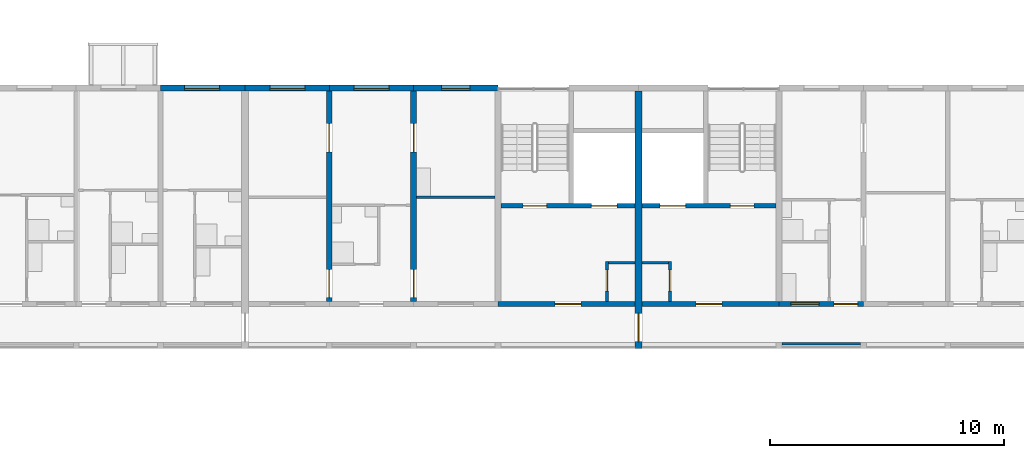
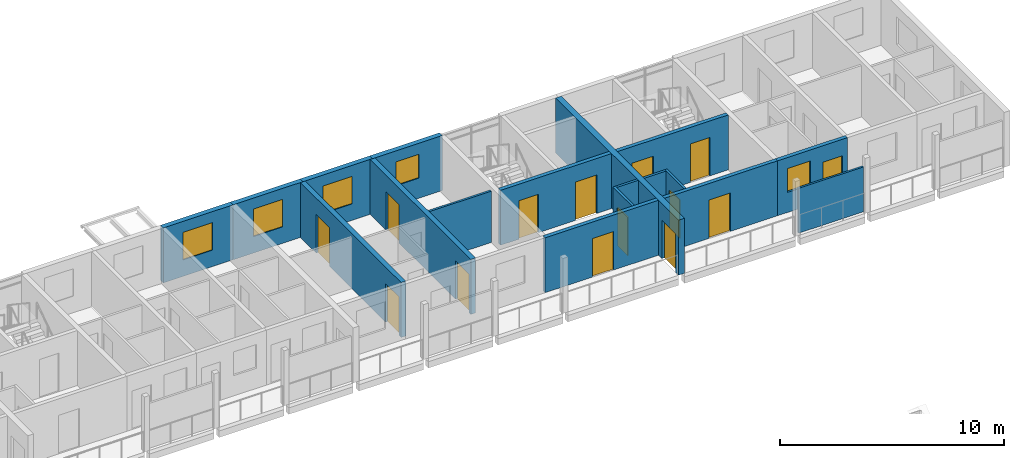
# One storey, part 80 of 122: 18 walls, 14 doors, 5 windows, 19 openings.
"""IFC4 building model written with IfcOpenShell, lengths in metres."""

from ifc_helpers import new_model, si_unit, direction, frame, frame_2d, origin, place, context, subcontext, project, spatial, rectangle, extrude, material, layer, layer_set, type_object, element, fill, save


model = new_model("IFC4")

# Units and contexts
model_context = context("Model", 3, precision=1e-05, world=origin(), true_north=direction((0.0, 1.0)))
body_context = subcontext(model_context, "Body", "Model", "MODEL_VIEW")
ifc_project = project(units=[si_unit("LENGTHUNIT", "METRE"), si_unit("AREAUNIT", "SQUARE_METRE"), si_unit("VOLUMEUNIT", "CUBIC_METRE"), si_unit("PLANEANGLEUNIT", "RADIAN"), si_unit("MASSUNIT", "GRAM", prefix="KILO")], contexts=[model_context])

# Site, building, storey
site_placement = place(None, origin())
site = spatial("IfcSite", under=ifc_project, at=site_placement, CompositionType="ELEMENT")
building_placement = place(site_placement, origin())
building = spatial("IfcBuilding", under=site, at=building_placement, Name="Ridgestep Commons", CompositionType="ELEMENT")
storey_placement = place(building_placement, frame((0.0, 0.0, 3.0)))
storey = spatial("IfcBuildingStorey", under=building, at=storey_placement, Name="L01", CompositionType="ELEMENT", Elevation=3.0)

# Wall, opening, door
ifc_material_1 = material(Name="Concrete C30/37", Category="concrete")
ifc_layer_1 = layer(ifc_material_1, 0.199951171875)
ifc_layer_set_1 = layer_set([ifc_layer_1], Name="Core south wall 200")
wall_type_1 = type_object("IfcWallType", Name="Core south wall 200", PredefinedType="SHEAR", material=ifc_layer_set_1)
wall_1_placement = place(storey_placement, frame((224.800048828125, 67.89990234375, 0.0), z_axis=(0.0, 0.0, 1.0), x_axis=(1.0, 0.0, 0.0)))
wall_1 = element("IfcWall", 1, at=wall_1_placement, inside=storey, type_object=wall_type_1, Name="Core south wall C5C L01", PredefinedType="SHEAR", context=body_context, shape_type="SweptSolid", body=[
    extrude(rectangle(XDim=5.849853515625, YDim=0.199951171875, at=frame_2d((2.9248046875, 0.0))), origin(), (0.0, 0.0, 1.0), 3.0),
])
opening_1_placement = place(wall_1_placement, frame((2.4375, 0.0, 0.0)))
opening_1 = element("IfcOpeningElement", 2, at=opening_1_placement, cuts=wall_1, Name="Opening C5C/01/1", PredefinedType="OPENING", context=body_context, shape_type="SweptSolid", body=[
    extrude(rectangle(XDim=1.10009765625, YDim=2.10009765625, at=frame_2d((0.550048828125, 1.050048828125))), frame((0.0, 0.10986328125, 0.0), z_axis=(0.0, -1.0, 0.0), x_axis=(1.0, 0.0, 0.0)), (0.0, 0.0, 1.0), 0.219970703125),
])
ifc_material_2 = material(Name="Steel fire door", Category="steel")
door_type_1 = type_object("IfcDoorType", Name="Lobby door 1100 x 2100 FD60", OperationType="NOTDEFINED", PredefinedType="DOOR", material=ifc_material_2)
door_1_placement = place(opening_1_placement, origin())
door_1 = element("IfcDoor", 3, at=door_1_placement, inside=storey, type_object=door_type_1, Name="Lobby door C5C/01/1", OperationType="SINGLE_SWING_LEFT", OverallHeight=2.10009765625, OverallWidth=1.10009765625, PredefinedType="DOOR", context=body_context, shape_type="SweptSolid", body=[
    extrude(rectangle(XDim=1.10009765625, YDim=2.10009765625, at=frame_2d((0.550048828125, 1.050048828125))), frame((0.0, 0.02490234375, 0.0), z_axis=(0.0, -1.0, 0.0), x_axis=(1.0, 0.0, 0.0)), (0.0, 0.0, 1.0), 0.050048828125),
])
fill(opening_1, door_1)

wall_2_placement = place(storey_placement, frame((230.949951171875, 67.89990234375, 0.0), z_axis=(0.0, 0.0, 1.0), x_axis=(1.0, 0.0, 0.0)))
wall_2 = element("IfcWall", 4, at=wall_2_placement, inside=storey, type_object=wall_type_1, Name="Core south wall C6C L01", PredefinedType="SHEAR", context=body_context, shape_type="SweptSolid", body=[
    extrude(rectangle(XDim=5.85009765625, YDim=0.199951171875, at=frame_2d((2.925048828125, 0.0))), origin(), (0.0, 0.0, 1.0), 3.0),
])
opening_2_placement = place(wall_2_placement, frame((2.3125, 0.0, 0.0)))
opening_2 = element("IfcOpeningElement", 5, at=opening_2_placement, cuts=wall_2, Name="Opening C6C/01/1", PredefinedType="OPENING", context=body_context, shape_type="SweptSolid", body=[
    extrude(rectangle(XDim=1.10009765625, YDim=2.10009765625, at=frame_2d((0.550048828125, 1.050048828125))), frame((0.0, 0.10986328125, 0.0), z_axis=(0.0, -1.0, 0.0), x_axis=(1.0, 0.0, 0.0)), (0.0, 0.0, 1.0), 0.219970703125),
])
door_2_placement = place(opening_2_placement, origin())
door_2 = element("IfcDoor", 6, at=door_2_placement, inside=storey, type_object=door_type_1, Name="Lobby door C6C/01/1", OperationType="SINGLE_SWING_LEFT", OverallHeight=2.10009765625, OverallWidth=1.10009765625, PredefinedType="DOOR", context=body_context, shape_type="SweptSolid", body=[
    extrude(rectangle(XDim=1.10009765625, YDim=2.10009765625, at=frame_2d((0.550048828125, 1.050048828125))), frame((0.0, 0.02490234375, 0.0), z_axis=(0.0, -1.0, 0.0), x_axis=(1.0, 0.0, 0.0)), (0.0, 0.0, 1.0), 0.050048828125),
])
fill(opening_2, door_2)

ifc_material_3 = material(Name="Concrete C30/37", Category="concrete")
ifc_layer_2 = layer(ifc_material_3, 0.1201171875)
ifc_layer_set_2 = layer_set([ifc_layer_2], Name="Core wall 120")
wall_type_2 = type_object("IfcWallType", Name="Core wall 120", PredefinedType="SHEAR", material=ifc_layer_set_2)
wall_3_placement = place(storey_placement, frame((229.4599609375, 68.0, 0.0), z_axis=(0.0, 0.0, 1.0), x_axis=(0.0, 1.0, 0.0)))
wall_3 = element("IfcWall", 7, at=wall_3_placement, inside=storey, type_object=wall_type_2, Name="Core riser w wall C5C L01", PredefinedType="SHEAR", context=body_context, shape_type="SweptSolid", body=[
    extrude(rectangle(XDim=1.719970703125, YDim=0.1201171875, at=frame_2d((0.85986328125, 0.0))), origin(), (0.0, 0.0, 1.0), 3.0),
])
opening_3_placement = place(wall_3_placement, frame((0.449951171875, 0.0, 0.0)))
opening_3 = element("IfcOpeningElement", 8, at=opening_3_placement, cuts=wall_3, Name="Opening C5C/01/4", PredefinedType="OPENING", context=body_context, shape_type="SweptSolid", body=[
    extrude(rectangle(XDim=0.89990234375, YDim=2.10009765625, at=frame_2d((0.449951171875, 1.050048828125))), frame((0.0, 0.070068359375, 0.0), z_axis=(0.0, -1.0, 0.0), x_axis=(1.0, 0.0, 0.0)), (0.0, 0.0, 1.0), 0.14013671875),
])
ifc_material_4 = material(Name="Steel fire door", Category="steel")
door_type_2 = type_object("IfcDoorType", Name="Riser door 900 x 2100 FD60", OperationType="NOTDEFINED", PredefinedType="DOOR", material=ifc_material_4)
door_3_placement = place(opening_3_placement, origin())
door_3 = element("IfcDoor", 9, at=door_3_placement, inside=storey, type_object=door_type_2, Name="Riser door C5C/01/4", OperationType="SINGLE_SWING_LEFT", OverallHeight=2.10009765625, OverallWidth=0.89990234375, PredefinedType="DOOR", context=body_context, shape_type="SweptSolid", body=[
    extrude(rectangle(XDim=0.89990234375, YDim=2.10009765625, at=frame_2d((0.449951171875, 1.050048828125))), frame((0.0, 0.02490234375, 0.0), z_axis=(0.0, -1.0, 0.0), x_axis=(1.0, 0.0, 0.0)), (0.0, 0.0, 1.0), 0.050048828125),
])
fill(opening_3, door_3)

# Wall
wall_4_placement = place(storey_placement, frame((229.52001953125, 69.659912109375, 0.0), z_axis=(0.0, 0.0, 1.0), x_axis=(1.0, 0.0, 0.0)))
element("IfcWall", 10, at=wall_4_placement, inside=storey, type_object=wall_type_2, Name="Core riser n wall C5C L01", PredefinedType="SHEAR", context=body_context, shape_type="SweptSolid", body=[
    extrude(rectangle(XDim=1.1298828125, YDim=0.1201171875, at=frame_2d((0.56494140625, 0.0))), origin(), (0.0, 0.0, 1.0), 3.0),
])

# Wall, opening, door
wall_5_placement = place(storey_placement, frame((232.139892578125, 68.0, 0.0), z_axis=(0.0, 0.0, 1.0), x_axis=(0.0, 1.0, 0.0)))
wall_5 = element("IfcWall", 11, at=wall_5_placement, inside=storey, type_object=wall_type_2, Name="Core riser w wall C6C L01", PredefinedType="SHEAR", context=body_context, shape_type="SweptSolid", body=[
    extrude(rectangle(XDim=1.719970703125, YDim=0.1201171875, at=frame_2d((0.85986328125, 0.0))), origin(), (0.0, 0.0, 1.0), 3.0),
])
opening_4_placement = place(wall_5_placement, frame((0.449951171875, 0.0, 0.0)))
opening_4 = element("IfcOpeningElement", 12, at=opening_4_placement, cuts=wall_5, Name="Opening C6C/01/4", PredefinedType="OPENING", context=body_context, shape_type="SweptSolid", body=[
    extrude(rectangle(XDim=0.89990234375, YDim=2.10009765625, at=frame_2d((0.449951171875, 1.050048828125))), frame((0.0, 0.070068359375, 0.0), z_axis=(0.0, -1.0, 0.0), x_axis=(1.0, 0.0, 0.0)), (0.0, 0.0, 1.0), 0.14013671875),
])
door_4_placement = place(opening_4_placement, origin())
door_4 = element("IfcDoor", 13, at=door_4_placement, inside=storey, type_object=door_type_2, Name="Riser door C6C/01/4", OperationType="SINGLE_SWING_RIGHT", OverallHeight=2.10009765625, OverallWidth=0.89990234375, PredefinedType="DOOR", context=body_context, shape_type="SweptSolid", body=[
    extrude(rectangle(XDim=0.89990234375, YDim=2.10009765625, at=frame_2d((0.449951171875, 1.050048828125))), frame((0.0, 0.02490234375, 0.0), z_axis=(0.0, -1.0, 0.0), x_axis=(1.0, 0.0, 0.0)), (0.0, 0.0, 1.0), 0.050048828125),
])
fill(opening_4, door_4)

# Wall
wall_6_placement = place(storey_placement, frame((230.949951171875, 69.659912109375, 0.0), z_axis=(0.0, 0.0, 1.0), x_axis=(1.0, 0.0, 0.0)))
element("IfcWall", 14, at=wall_6_placement, inside=storey, type_object=wall_type_2, Name="Core riser n wall C6C L01", PredefinedType="SHEAR", context=body_context, shape_type="SweptSolid", body=[
    extrude(rectangle(XDim=1.130126953125, YDim=0.1201171875, at=frame_2d((0.56494140625, 0.0))), origin(), (0.0, 0.0, 1.0), 3.0),
])

# Wall, openings, doors
ifc_material_5 = material(Name="Concrete C30/37", Category="concrete")
ifc_layer_3 = layer(ifc_material_5, 0.199951171875)
ifc_layer_set_3 = layer_set([ifc_layer_3], Name="Core wall 200")
wall_type_3 = type_object("IfcWallType", Name="Core wall 200", PredefinedType="SHEAR", material=ifc_layer_set_3)
wall_7_placement = place(storey_placement, frame((224.925048828125, 72.10009765625, 0.0), z_axis=(0.0, 0.0, 1.0), x_axis=(1.0, 0.0, 0.0)))
wall_7 = element("IfcWall", 15, at=wall_7_placement, inside=storey, type_object=wall_type_3, Name="Core lobby wall C5C L01", PredefinedType="SHEAR", context=body_context, shape_type="SweptSolid", body=[
    extrude(rectangle(XDim=5.724853515625, YDim=0.199951171875, at=frame_2d((2.8623046875, 0.0))), origin(), (0.0, 0.0, 1.0), 3.0),
])
opening_5_placement = place(wall_7_placement, frame((0.949951171875, 0.0, 0.0)))
opening_5 = element("IfcOpeningElement", 16, at=opening_5_placement, cuts=wall_7, Name="Opening C5C/01/2", PredefinedType="OPENING", context=body_context, shape_type="SweptSolid", body=[
    extrude(rectangle(XDim=1.0, YDim=2.10009765625, at=frame_2d((0.5, 1.050048828125))), frame((0.0, 0.10986328125, 0.0), z_axis=(0.0, -1.0, 0.0), x_axis=(1.0, 0.0, 0.0)), (0.0, 0.0, 1.0), 0.219970703125),
])
opening_6_placement = place(wall_7_placement, frame((3.862548828125, 0.0, 0.0)))
opening_6 = element("IfcOpeningElement", 17, at=opening_6_placement, cuts=wall_7, Name="Opening C5C/01/3", PredefinedType="OPENING", context=body_context, shape_type="SweptSolid", body=[
    extrude(rectangle(XDim=1.10009765625, YDim=2.10009765625, at=frame_2d((0.550048828125, 1.050048828125))), frame((0.0, 0.10986328125, 0.0), z_axis=(0.0, -1.0, 0.0), x_axis=(1.0, 0.0, 0.0)), (0.0, 0.0, 1.0), 0.219970703125),
])
ifc_material_6 = material(Name="Stainless steel", Category="steel")
door_type_3 = type_object("IfcDoorType", Name="Lift landing door 1100 x 2100 FD60", OperationType="DOUBLE_DOOR_SLIDING", PredefinedType="DOOR", material=ifc_material_6)
door_5_placement = place(opening_6_placement, origin())
door_5 = element("IfcDoor", 18, at=door_5_placement, inside=storey, type_object=door_type_3, Name="Landing door LD C5C L01", OperationType="DOUBLE_DOOR_SLIDING", OverallHeight=2.10009765625, OverallWidth=1.10009765625, PredefinedType="DOOR", context=body_context, shape_type="SweptSolid", body=[
    extrude(rectangle(XDim=1.10009765625, YDim=2.10009765625, at=frame_2d((0.550048828125, 1.050048828125))), frame((0.0, 0.02490234375, 0.0), z_axis=(0.0, -1.0, 0.0), x_axis=(1.0, 0.0, 0.0)), (0.0, 0.0, 1.0), 0.050048828125),
])
fill(opening_6, door_5)
ifc_material_7 = material(Name="Steel fire door", Category="steel")
door_type_4 = type_object("IfcDoorType", Name="Stair door 1000 x 2100 FD60", OperationType="NOTDEFINED", PredefinedType="DOOR", material=ifc_material_7)
door_6_placement = place(opening_5_placement, origin())
door_6 = element("IfcDoor", 19, at=door_6_placement, inside=storey, type_object=door_type_4, Name="Stair door C5C/01/2", OperationType="SINGLE_SWING_RIGHT", OverallHeight=2.10009765625, OverallWidth=1.0, PredefinedType="DOOR", context=body_context, shape_type="SweptSolid", body=[
    extrude(rectangle(XDim=1.0, YDim=2.10009765625, at=frame_2d((0.5, 1.050048828125))), frame((0.0, 0.02490234375, 0.0), z_axis=(0.0, -1.0, 0.0), x_axis=(1.0, 0.0, 0.0)), (0.0, 0.0, 1.0), 0.050048828125),
])
fill(opening_5, door_6)

wall_8_placement = place(storey_placement, frame((230.949951171875, 72.10009765625, 0.0), z_axis=(0.0, 0.0, 1.0), x_axis=(1.0, 0.0, 0.0)))
wall_8 = element("IfcWall", 20, at=wall_8_placement, inside=storey, type_object=wall_type_3, Name="Core lobby wall C6C L01", PredefinedType="SHEAR", context=body_context, shape_type="SweptSolid", body=[
    extrude(rectangle(XDim=5.72509765625, YDim=0.199951171875, at=frame_2d((2.862548828125, 0.0))), origin(), (0.0, 0.0, 1.0), 3.0),
])
opening_7_placement = place(wall_8_placement, frame((3.77490234375, 0.0, 0.0)))
opening_7 = element("IfcOpeningElement", 21, at=opening_7_placement, cuts=wall_8, Name="Opening C6C/01/2", PredefinedType="OPENING", context=body_context, shape_type="SweptSolid", body=[
    extrude(rectangle(XDim=1.0, YDim=2.10009765625, at=frame_2d((0.5, 1.050048828125))), frame((0.0, 0.10986328125, 0.0), z_axis=(0.0, -1.0, 0.0), x_axis=(1.0, 0.0, 0.0)), (0.0, 0.0, 1.0), 0.219970703125),
])
opening_8_placement = place(wall_8_placement, frame((0.762451171875, 0.0, 0.0)))
opening_8 = element("IfcOpeningElement", 22, at=opening_8_placement, cuts=wall_8, Name="Opening C6C/01/3", PredefinedType="OPENING", context=body_context, shape_type="SweptSolid", body=[
    extrude(rectangle(XDim=1.10009765625, YDim=2.10009765625, at=frame_2d((0.550048828125, 1.050048828125))), frame((0.0, 0.10986328125, 0.0), z_axis=(0.0, -1.0, 0.0), x_axis=(1.0, 0.0, 0.0)), (0.0, 0.0, 1.0), 0.219970703125),
])
door_7_placement = place(opening_8_placement, origin())
door_7 = element("IfcDoor", 23, at=door_7_placement, inside=storey, type_object=door_type_3, Name="Landing door LD C6C L01", OperationType="DOUBLE_DOOR_SLIDING", OverallHeight=2.10009765625, OverallWidth=1.10009765625, PredefinedType="DOOR", context=body_context, shape_type="SweptSolid", body=[
    extrude(rectangle(XDim=1.10009765625, YDim=2.10009765625, at=frame_2d((0.550048828125, 1.050048828125))), frame((0.0, 0.02490234375, 0.0), z_axis=(0.0, -1.0, 0.0), x_axis=(1.0, 0.0, 0.0)), (0.0, 0.0, 1.0), 0.050048828125),
])
fill(opening_8, door_7)
door_8_placement = place(opening_7_placement, origin())
door_8 = element("IfcDoor", 24, at=door_8_placement, inside=storey, type_object=door_type_4, Name="Stair door C6C/01/2", OperationType="SINGLE_SWING_RIGHT", OverallHeight=2.10009765625, OverallWidth=1.0, PredefinedType="DOOR", context=body_context, shape_type="SweptSolid", body=[
    extrude(rectangle(XDim=1.0, YDim=2.10009765625, at=frame_2d((0.5, 1.050048828125))), frame((0.0, 0.02490234375, 0.0), z_axis=(0.0, -1.0, 0.0), x_axis=(1.0, 0.0, 0.0)), (0.0, 0.0, 1.0), 0.050048828125),
])
fill(opening_7, door_8)

ifc_material_8 = material(Name="Precast concrete C40/50", Category="concrete")
ifc_layer_4 = layer(ifc_material_8, 0.25)
ifc_layer_set_4 = layer_set([ifc_layer_4], Name="Cross wall 250")
wall_type_4 = type_object("IfcWallType", Name="Cross wall 250", PredefinedType="SHEAR", material=ifc_layer_set_4)
wall_9_placement = place(storey_placement, frame((217.60009765625, 68.0, 0.0), z_axis=(0.0, 0.0, 1.0), x_axis=(0.0, 1.0, 0.0)))
wall_9 = element("IfcWall", 25, at=wall_9_placement, inside=storey, type_object=wall_type_4, Name="Cross wall C-01-2176", PredefinedType="SHEAR", context=body_context, shape_type="SweptSolid", body=[
    extrude(rectangle(XDim=9.0, YDim=0.25, at=frame_2d((4.5, 0.0))), origin(), (0.0, 0.0, 1.0), 3.0),
])
opening_9_placement = place(wall_9_placement, frame((0.175048828125, 0.0, 0.0)))
opening_9 = element("IfcOpeningElement", 26, at=opening_9_placement, cuts=wall_9, Name="Opening C5-01a/4", PredefinedType="OPENING", context=body_context, shape_type="SweptSolid", body=[
    extrude(rectangle(XDim=1.199951171875, YDim=2.10009765625, at=frame_2d((0.60009765625, 1.050048828125))), frame((0.0, 0.135009765625, 0.0), z_axis=(0.0, -1.0, 0.0), x_axis=(1.0, 0.0, 0.0)), (0.0, 0.0, 1.0), 0.27001953125),
])
opening_10_placement = place(wall_9_placement, frame((6.39990234375, 0.0, 0.0)))
opening_10 = element("IfcOpeningElement", 27, at=opening_10_placement, cuts=wall_9, Name="Opening C5-01a/5", PredefinedType="OPENING", context=body_context, shape_type="SweptSolid", body=[
    extrude(rectangle(XDim=1.199951171875, YDim=2.10009765625, at=frame_2d((0.60009765625, 1.050048828125))), frame((0.0, 0.135009765625, 0.0), z_axis=(0.0, -1.0, 0.0), x_axis=(1.0, 0.0, 0.0)), (0.0, 0.0, 1.0), 0.27001953125),
])
ifc_material_9 = material(Name="Timber door leaf", Category="wood")
door_type_5 = type_object("IfcDoorType", Name="Double door 1200 x 2100", OperationType="DOUBLE_DOOR_SINGLE_SWING", PredefinedType="DOOR", material=ifc_material_9)
door_9_placement = place(opening_9_placement, origin())
door_9 = element("IfcDoor", 28, at=door_9_placement, inside=storey, type_object=door_type_5, Name="Double door C5-01a/4", OperationType="DOUBLE_DOOR_SINGLE_SWING", OverallHeight=2.10009765625, OverallWidth=1.199951171875, PredefinedType="DOOR", context=body_context, shape_type="SweptSolid", body=[
    extrude(rectangle(XDim=1.199951171875, YDim=2.10009765625, at=frame_2d((0.60009765625, 1.050048828125))), frame((0.0, 0.02490234375, 0.0), z_axis=(0.0, -1.0, 0.0), x_axis=(1.0, 0.0, 0.0)), (0.0, 0.0, 1.0), 0.050048828125),
])
fill(opening_9, door_9)
door_10_placement = place(opening_10_placement, origin())
door_10 = element("IfcDoor", 29, at=door_10_placement, inside=storey, type_object=door_type_5, Name="Double door C5-01a/5", OperationType="DOUBLE_DOOR_SINGLE_SWING", OverallHeight=2.10009765625, OverallWidth=1.199951171875, PredefinedType="DOOR", context=body_context, shape_type="SweptSolid", body=[
    extrude(rectangle(XDim=1.199951171875, YDim=2.10009765625, at=frame_2d((0.60009765625, 1.050048828125))), frame((0.0, 0.02490234375, 0.0), z_axis=(0.0, -1.0, 0.0), x_axis=(1.0, 0.0, 0.0)), (0.0, 0.0, 1.0), 0.050048828125),
])
fill(opening_10, door_10)

wall_10_placement = place(storey_placement, frame((221.199951171875, 68.0, 0.0), z_axis=(0.0, 0.0, 1.0), x_axis=(0.0, 1.0, 0.0)))
wall_10 = element("IfcWall", 30, at=wall_10_placement, inside=storey, type_object=wall_type_4, Name="Cross wall C-01-2212", PredefinedType="SHEAR", context=body_context, shape_type="SweptSolid", body=[
    extrude(rectangle(XDim=9.0, YDim=0.25, at=frame_2d((4.5, 0.0))), origin(), (0.0, 0.0, 1.0), 3.0),
])
opening_11_placement = place(wall_10_placement, frame((0.175048828125, 0.0, 0.0)))
opening_11 = element("IfcOpeningElement", 31, at=opening_11_placement, cuts=wall_10, Name="Opening C5-01a/6", PredefinedType="OPENING", context=body_context, shape_type="SweptSolid", body=[
    extrude(rectangle(XDim=1.199951171875, YDim=2.10009765625, at=frame_2d((0.60009765625, 1.050048828125))), frame((0.0, 0.135009765625, 0.0), z_axis=(0.0, -1.0, 0.0), x_axis=(1.0, 0.0, 0.0)), (0.0, 0.0, 1.0), 0.27001953125),
])
opening_12_placement = place(wall_10_placement, frame((6.39990234375, 0.0, 0.0)))
opening_12 = element("IfcOpeningElement", 32, at=opening_12_placement, cuts=wall_10, Name="Opening C5-01a/7", PredefinedType="OPENING", context=body_context, shape_type="SweptSolid", body=[
    extrude(rectangle(XDim=1.199951171875, YDim=2.10009765625, at=frame_2d((0.60009765625, 1.050048828125))), frame((0.0, 0.135009765625, 0.0), z_axis=(0.0, -1.0, 0.0), x_axis=(1.0, 0.0, 0.0)), (0.0, 0.0, 1.0), 0.27001953125),
])
door_11_placement = place(opening_11_placement, origin())
door_11 = element("IfcDoor", 33, at=door_11_placement, inside=storey, type_object=door_type_5, Name="Double door C5-01a/6", OperationType="DOUBLE_DOOR_SINGLE_SWING", OverallHeight=2.10009765625, OverallWidth=1.199951171875, PredefinedType="DOOR", context=body_context, shape_type="SweptSolid", body=[
    extrude(rectangle(XDim=1.199951171875, YDim=2.10009765625, at=frame_2d((0.60009765625, 1.050048828125))), frame((0.0, 0.02490234375, 0.0), z_axis=(0.0, -1.0, 0.0), x_axis=(1.0, 0.0, 0.0)), (0.0, 0.0, 1.0), 0.050048828125),
])
fill(opening_11, door_11)
door_12_placement = place(opening_12_placement, origin())
door_12 = element("IfcDoor", 34, at=door_12_placement, inside=storey, type_object=door_type_5, Name="Double door C5-01a/7", OperationType="DOUBLE_DOOR_SINGLE_SWING", OverallHeight=2.10009765625, OverallWidth=1.199951171875, PredefinedType="DOOR", context=body_context, shape_type="SweptSolid", body=[
    extrude(rectangle(XDim=1.199951171875, YDim=2.10009765625, at=frame_2d((0.60009765625, 1.050048828125))), frame((0.0, 0.02490234375, 0.0), z_axis=(0.0, -1.0, 0.0), x_axis=(1.0, 0.0, 0.0)), (0.0, 0.0, 1.0), 0.050048828125),
])
fill(opening_12, door_12)

# Wall, opening, door
ifc_material_10 = material(Name="Precast concrete C40/50", Category="concrete")
ifc_layer_5 = layer(ifc_material_10, 0.300048828125)
ifc_layer_set_5 = layer_set([ifc_layer_5], Name="Division wall 300")
wall_type_5 = type_object("IfcWallType", Name="Division wall 300", PredefinedType="SHEAR", material=ifc_layer_set_5)
wall_11_placement = place(storey_placement, frame((230.800048828125, 66.0, 0.0), z_axis=(0.0, 0.0, 1.0), x_axis=(0.0, 1.0, 0.0)))
wall_11 = element("IfcWall", 35, at=wall_11_placement, inside=storey, type_object=wall_type_5, Name="Cross wall C-01-2308", PredefinedType="SHEAR", context=body_context, shape_type="SweptSolid", body=[
    extrude(rectangle(XDim=11.0, YDim=0.300048828125, at=frame_2d((5.5, 0.0))), origin(), (0.0, 0.0, 1.0), 3.0),
])
opening_13_placement = place(wall_11_placement, frame((0.300048828125, 0.0, 0.0)))
opening_13 = element("IfcOpeningElement", 36, at=opening_13_placement, cuts=wall_11, Name="Opening C/01/G2308", PredefinedType="OPENING", context=body_context, shape_type="SweptSolid", body=[
    extrude(rectangle(XDim=1.199951171875, YDim=2.10009765625, at=frame_2d((0.60009765625, 1.050048828125))), frame((0.0, 0.159912109375, 0.0), z_axis=(0.0, -1.0, 0.0), x_axis=(1.0, 0.0, 0.0)), (0.0, 0.0, 1.0), 0.320068359375),
])
ifc_material_11 = material(Name="Steel fire door", Category="steel")
door_type_6 = type_object("IfcDoorType", Name="Division fire door 1200 x 2100 EI 240", OperationType="DOUBLE_DOOR_SINGLE_SWING", PredefinedType="DOOR", material=ifc_material_11)
door_13_placement = place(opening_13_placement, origin())
door_13 = element("IfcDoor", 37, at=door_13_placement, inside=storey, type_object=door_type_6, Name="Division fire door C/01/G2308", OperationType="DOUBLE_DOOR_SINGLE_SWING", OverallHeight=2.10009765625, OverallWidth=1.199951171875, PredefinedType="DOOR", context=body_context, shape_type="SweptSolid", body=[
    extrude(rectangle(XDim=1.199951171875, YDim=2.10009765625, at=frame_2d((0.60009765625, 1.050048828125))), frame((0.0, 0.02490234375, 0.0), z_axis=(0.0, -1.0, 0.0), x_axis=(1.0, 0.0, 0.0)), (0.0, 0.0, 1.0), 0.050048828125),
])
fill(opening_13, door_13)

# Wall, opening, window
ifc_material_12 = material(Name="Precast concrete C40/50", Category="concrete")
ifc_layer_6 = layer(ifc_material_12, 0.25)
ifc_layer_set_6 = layer_set([ifc_layer_6], Name="North facade panel 250")
wall_type_6 = type_object("IfcWallType", Name="North facade panel 250", PredefinedType="SOLIDWALL", material=ifc_layer_set_6)
wall_12_placement = place(storey_placement, frame((210.39990234375, 77.125, 0.0), z_axis=(0.0, 0.0, 1.0), x_axis=(1.0, 0.0, 0.0)))
wall_12 = element("IfcWall", 38, at=wall_12_placement, inside=storey, type_object=wall_type_6, Name="North panel C4T1 L01", PredefinedType="SOLIDWALL", context=body_context, shape_type="SweptSolid", body=[
    extrude(rectangle(XDim=3.60009765625, YDim=0.25, at=frame_2d((1.800048828125, 0.0))), origin(), (0.0, 0.0, 1.0), 3.0),
])
opening_14_placement = place(wall_12_placement, frame((1.02490234375, 0.0, 0.89990234375)))
opening_14 = element("IfcOpeningElement", 39, at=opening_14_placement, cuts=wall_12, Name="Opening W16", PredefinedType="OPENING", context=body_context, shape_type="SweptSolid", body=[
    extrude(rectangle(XDim=1.5, YDim=1.5, at=frame_2d((0.75, 0.75))), frame((0.0, 0.135009765625, 0.0), z_axis=(0.0, -1.0, 0.0), x_axis=(1.0, 0.0, 0.0)), (0.0, 0.0, 1.0), 0.27001953125),
])
ifc_material_13 = material(Name="Aluminium 6063-T6 and glass", Category="aluminium")
window_type_1 = type_object("IfcWindowType", Name="Flat window 1500 x 1500", PartitioningType="DOUBLE_PANEL_VERTICAL", PredefinedType="WINDOW", material=ifc_material_13)
window_1_placement = place(opening_14_placement, origin())
window_1 = element("IfcWindow", 40, at=window_1_placement, inside=storey, type_object=window_type_1, Name="Window C4-01a 2", OverallHeight=1.5, OverallWidth=1.5, PartitioningType="SINGLE_PANEL", PredefinedType="WINDOW", context=body_context, shape_type="SweptSolid", body=[
    extrude(rectangle(XDim=1.5, YDim=1.5, at=frame_2d((0.75, 0.75))), frame((0.0, -0.02490234375, 0.0), z_axis=(0.0, -1.0, 0.0), x_axis=(1.0, 0.0, 0.0)), (0.0, 0.0, 1.0), 0.06005859375),
])
fill(opening_14, window_1)

wall_13_placement = place(storey_placement, frame((214.0, 77.125, 0.0), z_axis=(0.0, 0.0, 1.0), x_axis=(1.0, 0.0, 0.0)))
wall_13 = element("IfcWall", 41, at=wall_13_placement, inside=storey, type_object=wall_type_6, Name="North panel C5T1 L01", PredefinedType="SOLIDWALL", context=body_context, shape_type="SweptSolid", body=[
    extrude(rectangle(XDim=3.60009765625, YDim=0.25, at=frame_2d((1.800048828125, 0.0))), origin(), (0.0, 0.0, 1.0), 3.0),
])
opening_15_placement = place(wall_13_placement, frame((1.0625, 0.0, 0.89990234375)))
opening_15 = element("IfcOpeningElement", 42, at=opening_15_placement, cuts=wall_13, Name="Opening W16", PredefinedType="OPENING", context=body_context, shape_type="SweptSolid", body=[
    extrude(rectangle(XDim=1.5, YDim=1.5, at=frame_2d((0.75, 0.75))), frame((0.0, 0.135009765625, 0.0), z_axis=(0.0, -1.0, 0.0), x_axis=(1.0, 0.0, 0.0)), (0.0, 0.0, 1.0), 0.27001953125),
])
window_2_placement = place(opening_15_placement, origin())
window_2 = element("IfcWindow", 43, at=window_2_placement, inside=storey, type_object=window_type_1, Name="Window C5-01a 2", OverallHeight=1.5, OverallWidth=1.5, PartitioningType="SINGLE_PANEL", PredefinedType="WINDOW", context=body_context, shape_type="SweptSolid", body=[
    extrude(rectangle(XDim=1.5, YDim=1.5, at=frame_2d((0.75, 0.75))), frame((0.0, -0.02490234375, 0.0), z_axis=(0.0, -1.0, 0.0), x_axis=(1.0, 0.0, 0.0)), (0.0, 0.0, 1.0), 0.06005859375),
])
fill(opening_15, window_2)

wall_14_placement = place(storey_placement, frame((217.60009765625, 77.125, 0.0), z_axis=(0.0, 0.0, 1.0), x_axis=(1.0, 0.0, 0.0)))
wall_14 = element("IfcWall", 44, at=wall_14_placement, inside=storey, type_object=wall_type_6, Name="North panel C5T2 L01", PredefinedType="SOLIDWALL", context=body_context, shape_type="SweptSolid", body=[
    extrude(rectangle(XDim=3.599853515625, YDim=0.25, at=frame_2d((1.7998046875, 0.0))), origin(), (0.0, 0.0, 1.0), 3.0),
])
opening_16_placement = place(wall_14_placement, frame((1.050048828125, 0.0, 0.89990234375)))
opening_16 = element("IfcOpeningElement", 45, at=opening_16_placement, cuts=wall_14, Name="Opening W16", PredefinedType="OPENING", context=body_context, shape_type="SweptSolid", body=[
    extrude(rectangle(XDim=1.5, YDim=1.5, at=frame_2d((0.75, 0.75))), frame((0.0, 0.135009765625, 0.0), z_axis=(0.0, -1.0, 0.0), x_axis=(1.0, 0.0, 0.0)), (0.0, 0.0, 1.0), 0.27001953125),
])
window_3_placement = place(opening_16_placement, origin())
window_3 = element("IfcWindow", 46, at=window_3_placement, inside=storey, type_object=window_type_1, Name="Window C5-01a 5", OverallHeight=1.5, OverallWidth=1.5, PartitioningType="SINGLE_PANEL", PredefinedType="WINDOW", context=body_context, shape_type="SweptSolid", body=[
    extrude(rectangle(XDim=1.5, YDim=1.5, at=frame_2d((0.75, 0.75))), frame((0.0, -0.02490234375, 0.0), z_axis=(0.0, -1.0, 0.0), x_axis=(1.0, 0.0, 0.0)), (0.0, 0.0, 1.0), 0.06005859375),
])
fill(opening_16, window_3)

wall_15_placement = place(storey_placement, frame((221.199951171875, 77.125, 0.0), z_axis=(0.0, 0.0, 1.0), x_axis=(1.0, 0.0, 0.0)))
wall_15 = element("IfcWall", 47, at=wall_15_placement, inside=storey, type_object=wall_type_6, Name="North panel C5T3 L01", PredefinedType="SOLIDWALL", context=body_context, shape_type="SweptSolid", body=[
    extrude(rectangle(XDim=3.60009765625, YDim=0.25, at=frame_2d((1.800048828125, 0.0))), origin(), (0.0, 0.0, 1.0), 3.0),
])
opening_17_placement = place(wall_15_placement, frame((1.199951171875, 0.0, 1.10009765625)))
opening_17 = element("IfcOpeningElement", 48, at=opening_17_placement, cuts=wall_15, Name="Opening W08", PredefinedType="OPENING", context=body_context, shape_type="SweptSolid", body=[
    extrude(rectangle(XDim=1.199951171875, YDim=1.300048828125, at=frame_2d((0.60009765625, 0.64990234375))), frame((0.0, 0.135009765625, 0.0), z_axis=(0.0, -1.0, 0.0), x_axis=(1.0, 0.0, 0.0)), (0.0, 0.0, 1.0), 0.27001953125),
])
ifc_material_14 = material(Name="Aluminium 6063-T6 and glass", Category="aluminium")
window_type_2 = type_object("IfcWindowType", Name="Flat window 1200 x 1300", PartitioningType="SINGLE_PANEL", PredefinedType="WINDOW", material=ifc_material_14)
window_4_placement = place(opening_17_placement, origin())
window_4 = element("IfcWindow", 49, at=window_4_placement, inside=storey, type_object=window_type_2, Name="Window C5-01a 4", OverallHeight=1.300048828125, OverallWidth=1.199951171875, PartitioningType="SINGLE_PANEL", PredefinedType="WINDOW", context=body_context, shape_type="SweptSolid", body=[
    extrude(rectangle(XDim=1.199951171875, YDim=1.300048828125, at=frame_2d((0.60009765625, 0.64990234375))), frame((0.0, -0.02490234375, 0.0), z_axis=(0.0, -1.0, 0.0), x_axis=(1.0, 0.0, 0.0)), (0.0, 0.0, 1.0), 0.06005859375),
])
fill(opening_17, window_4)

# Walls
ifc_material_15 = material(Name="Common brick 110 mm", Category="masonry")
ifc_layer_7 = layer(ifc_material_15, 0.110107421875)
ifc_layer_set_7 = layer_set([ifc_layer_7], Name="Partition 110")
wall_type_7 = type_object("IfcWallType", Name="Partition 110", PredefinedType="PARTITIONING", material=ifc_layer_set_7)
wall_16_placement = place(storey_placement, frame((221.324951171875, 72.455078125, 0.0), z_axis=(0.0, 0.0, 1.0), x_axis=(1.0, 0.0, 0.0)))
element("IfcWall", 50, at=wall_16_placement, inside=storey, type_object=wall_type_7, Name="Partition C5-01a", PredefinedType="PARTITIONING", context=body_context, shape_type="SweptSolid", body=[
    extrude(rectangle(XDim=3.35009765625, YDim=0.110107421875, at=frame_2d((1.675048828125, 0.0))), origin(), (0.0, 0.0, 1.0), 2.800048828125),
])
ifc_material_16 = material(Name="Precast concrete C30/37", Category="concrete")
ifc_layer_8 = layer(ifc_material_16, 0.10009765625)
ifc_layer_set_8 = layer_set([ifc_layer_8], Name="Perforated gallery screen 3350 x 2450 x 100")
wall_type_8 = type_object("IfcWallType", Name="Perforated gallery screen 3350 x 2450 x 100", PredefinedType="SOLIDWALL", material=ifc_layer_set_8)
wall_17_placement = place(storey_placement, frame((236.925048828125, 66.199951171875, 0.0), z_axis=(0.0, 0.0, 1.0), x_axis=(1.0, 0.0, 0.0)))
element("IfcWall", 51, at=wall_17_placement, inside=storey, type_object=wall_type_8, Name="Gallery screen C6T3 01", PredefinedType="SOLIDWALL", context=body_context, shape_type="SweptSolid", body=[
    extrude(rectangle(XDim=3.349853515625, YDim=0.10009765625, at=frame_2d((1.6748046875, 0.0))), origin(), (0.0, 0.0, 1.0), 2.449951171875),
])

# Wall, openings, door, window
ifc_material_17 = material(Name="Precast concrete C40/50", Category="concrete")
ifc_layer_9 = layer(ifc_material_17, 0.199951171875)
ifc_layer_set_9 = layer_set([ifc_layer_9], Name="South facade panel 200")
wall_type_9 = type_object("IfcWallType", Name="South facade panel 200", PredefinedType="SOLIDWALL", material=ifc_layer_set_9)
wall_18_placement = place(storey_placement, frame((236.800048828125, 67.89990234375, 0.0), z_axis=(0.0, 0.0, 1.0), x_axis=(1.0, 0.0, 0.0)))
wall_18 = element("IfcWall", 52, at=wall_18_placement, inside=storey, type_object=wall_type_9, Name="South panel C6T3 L01", PredefinedType="SOLIDWALL", context=body_context, shape_type="SweptSolid", body=[
    extrude(rectangle(XDim=3.599853515625, YDim=0.199951171875, at=frame_2d((1.7998046875, 0.0))), origin(), (0.0, 0.0, 1.0), 3.0),
])
opening_18_placement = place(wall_18_placement, frame((0.507568359375, 0.0, 1.10009765625)))
opening_18 = element("IfcOpeningElement", 53, at=opening_18_placement, cuts=wall_18, Name="Opening W08", PredefinedType="OPENING", context=body_context, shape_type="SweptSolid", body=[
    extrude(rectangle(XDim=1.199951171875, YDim=1.300048828125, at=frame_2d((0.60009765625, 0.64990234375))), frame((0.0, 0.10986328125, 0.0), z_axis=(0.0, -1.0, 0.0), x_axis=(1.0, 0.0, 0.0)), (0.0, 0.0, 1.0), 0.219970703125),
])
opening_19_placement = place(wall_18_placement, frame((2.35009765625, 0.0, 0.0)))
opening_19 = element("IfcOpeningElement", 54, at=opening_19_placement, cuts=wall_18, Name="Opening C6-01b/1", PredefinedType="OPENING", context=body_context, shape_type="SweptSolid", body=[
    extrude(rectangle(XDim=1.0, YDim=2.10009765625, at=frame_2d((0.5, 1.050048828125))), frame((0.0, 0.10986328125, 0.0), z_axis=(0.0, -1.0, 0.0), x_axis=(1.0, 0.0, 0.0)), (0.0, 0.0, 1.0), 0.219970703125),
])
ifc_material_18 = material(Name="Timber door leaf", Category="wood")
door_type_7 = type_object("IfcDoorType", Name="Flat entrance door 1000 x 2100 FD30S", OperationType="NOTDEFINED", PredefinedType="DOOR", material=ifc_material_18)
door_14_placement = place(opening_19_placement, origin())
door_14 = element("IfcDoor", 55, at=door_14_placement, inside=storey, type_object=door_type_7, Name="Flat entrance door C6-01b/1", OperationType="SINGLE_SWING_RIGHT", OverallHeight=2.10009765625, OverallWidth=1.0, PredefinedType="DOOR", context=body_context, shape_type="SweptSolid", body=[
    extrude(rectangle(XDim=1.0, YDim=2.10009765625, at=frame_2d((0.5, 1.050048828125))), frame((0.0, 0.02490234375, 0.0), z_axis=(0.0, -1.0, 0.0), x_axis=(1.0, 0.0, 0.0)), (0.0, 0.0, 1.0), 0.050048828125),
])
fill(opening_19, door_14)
window_5_placement = place(opening_18_placement, origin())
window_5 = element("IfcWindow", 56, at=window_5_placement, inside=storey, type_object=window_type_2, Name="Window C6-01b 3", OverallHeight=1.300048828125, OverallWidth=1.199951171875, PartitioningType="SINGLE_PANEL", PredefinedType="WINDOW", context=body_context, shape_type="SweptSolid", body=[
    extrude(rectangle(XDim=1.199951171875, YDim=1.300048828125, at=frame_2d((0.60009765625, 0.64990234375))), frame((0.0, 0.06005859375, 0.0), z_axis=(0.0, -1.0, 0.0), x_axis=(1.0, 0.0, 0.0)), (0.0, 0.0, 1.0), 0.06005859375),
])
fill(opening_18, window_5)

save(model, "model.ifc")
